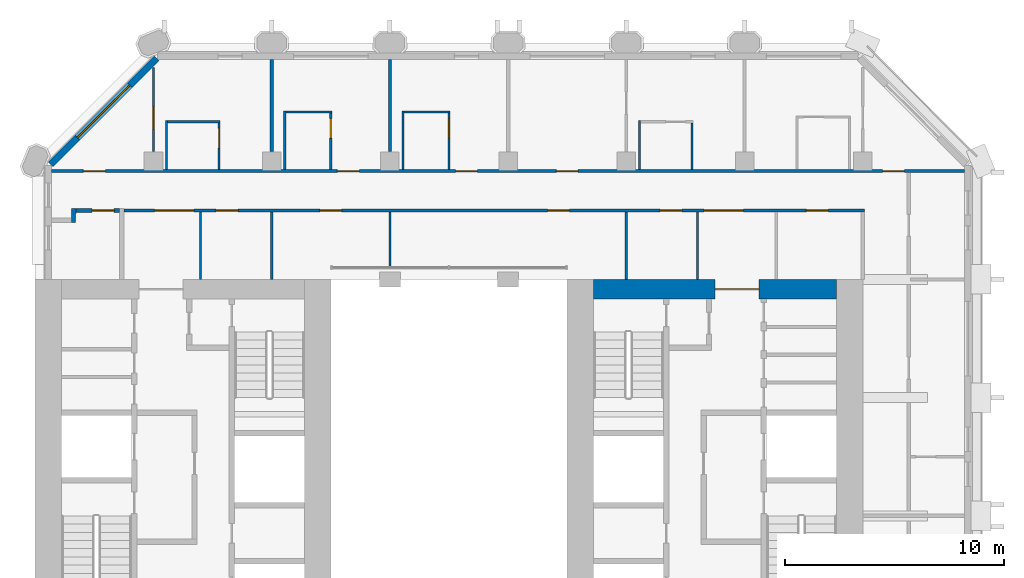
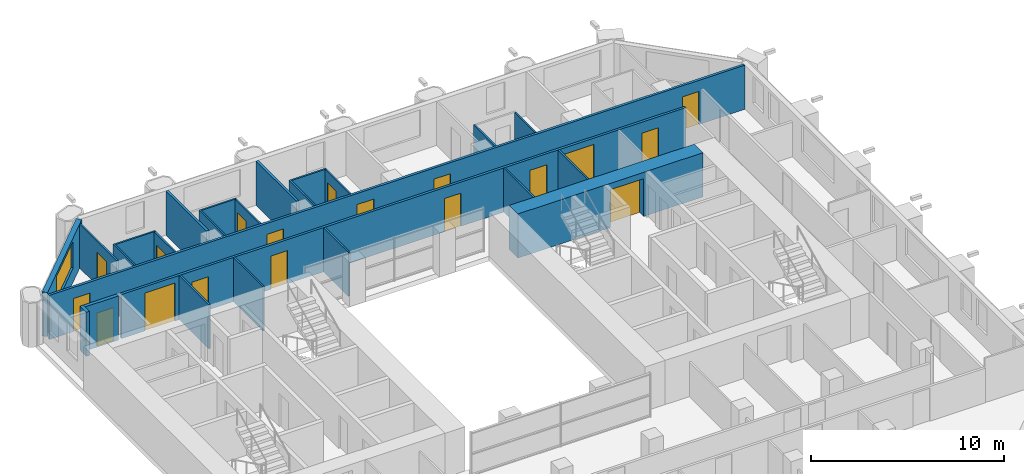
# One storey, part 9 of 12: 25 walls, 18 doors, 1 window, 19 openings.
"""IFC4 building model written with IfcOpenShell, lengths in metres."""

from ifc_helpers import new_model, si_unit, direction, frame, frame_2d, origin, place, context, subcontext, project, spatial, rectangle, extrude, material, layer, layer_set, type_object, element, fill, save


model = new_model("IFC4")

# Units and contexts
model_context = context("Model", 3, precision=1e-05, world=origin(), true_north=direction((0.0, 1.0)))
body_context = subcontext(model_context, "Body", "Model", "MODEL_VIEW")
ifc_project = project(units=[si_unit("LENGTHUNIT", "METRE"), si_unit("AREAUNIT", "SQUARE_METRE"), si_unit("VOLUMEUNIT", "CUBIC_METRE"), si_unit("PLANEANGLEUNIT", "RADIAN"), si_unit("MASSUNIT", "GRAM", prefix="KILO")], contexts=[model_context])

# Site, building, storey
site_placement = place(None, origin())
site = spatial("IfcSite", under=ifc_project, at=site_placement, CompositionType="ELEMENT")
building_placement = place(site_placement, origin())
building = spatial("IfcBuilding", under=site, at=building_placement, Name="Tabaq Tower and Sports Hall", CompositionType="ELEMENT")
storey_placement = place(building_placement, frame((0.0, 0.0, 172.60009765625)))
storey = spatial("IfcBuildingStorey", under=building, at=storey_placement, Name="L41", CompositionType="ELEMENT", Elevation=172.60009765625)

# Wall, opening, door
ifc_material_1 = material(Name="Concrete C50/60", Category="concrete")
ifc_layer_1 = layer(ifc_material_1, 0.89990234375)
ifc_layer_set_1 = layer_set([ifc_layer_1], Name="Core wall 900 Concrete C50/60")
wall_type_1 = type_object("IfcWallType", Name="Core wall 900 Concrete C50/60", PredefinedType="SOLIDWALL", material=ifc_layer_set_1)
wall_1_placement = place(storey_placement, frame((30.89990234375, 31.949951171875, 0.0), z_axis=(0.0, 0.0, 1.0), x_axis=(1.0, 0.0, 0.0)))
wall_1 = element("IfcWall", 1, at=wall_1_placement, inside=storey, type_object=wall_type_1, Name="Core wall E L41", PredefinedType="SOLIDWALL", context=body_context, shape_type="SweptSolid", body=[
    extrude(rectangle(XDim=11.10009765625, YDim=0.89990234375, at=frame_2d((5.550048828125, 0.0))), origin(), (0.0, 0.0, 1.0), 2.7998046875),
])
opening_1_placement = place(wall_1_placement, frame((5.550048828125, 0.0, 0.0)))
opening_1 = element("IfcOpeningElement", 2, at=opening_1_placement, cuts=wall_1, Name="Opening PD-EL41-02", PredefinedType="OPENING", context=body_context, shape_type="SweptSolid", body=[
    extrude(rectangle(XDim=2.0, YDim=2.39990234375, at=frame_2d((1.0, 1.199951171875))), frame((0.0, 0.449951171875, 0.0), z_axis=(0.0, -1.0, 0.0), x_axis=(1.0, 0.0, 0.0)), (0.0, 0.0, 1.0), 0.89990234375),
])
ifc_material_2 = material(Name="Steel fire door", Category="steel")
door_type_1 = type_object("IfcDoorType", Name="Core entrance door 2000", OperationType="DOUBLE_DOOR_SINGLE_SWING", PredefinedType="DOOR", material=ifc_material_2)
door_1_placement = place(opening_1_placement, origin())
door_1 = element("IfcDoor", 3, at=door_1_placement, inside=storey, type_object=door_type_1, Name="Core entrance north E L41", OperationType="DOUBLE_DOOR_SINGLE_SWING", OverallHeight=2.39990234375, OverallWidth=2.0, PredefinedType="DOOR", context=body_context, shape_type="SweptSolid", body=[
    extrude(rectangle(XDim=2.0, YDim=2.39990234375, at=frame_2d((1.0, 1.199951171875))), frame((0.0, 0.02490234375, 0.0), z_axis=(0.0, -1.0, 0.0), x_axis=(1.0, 0.0, 0.0)), (0.0, 0.0, 1.0), 0.050048828125),
])
fill(opening_1, door_1)

ifc_material_3 = material(Name="Blockwork", Category="masonry")
ifc_layer_2 = layer(ifc_material_3, 0.199951171875)
ifc_layer_set_2 = layer_set([ifc_layer_2], Name="Fire compartment wall 200 Blockwork")
wall_type_2 = type_object("IfcWallType", Name="Fire compartment wall 200 Blockwork", PredefinedType="PARTITIONING", material=ifc_layer_set_2)
wall_2_placement = place(storey_placement, frame((7.2509765625, 35.550048828125, 0.0), z_axis=(0.0, 0.0, 1.0), x_axis=(1.0, 0.0, 0.0)))
wall_2 = element("IfcWall", 4, at=wall_2_placement, inside=storey, type_object=wall_type_2, Name="Compartment wall L41", PredefinedType="PARTITIONING", context=body_context, shape_type="SweptSolid", body=[
    extrude(rectangle(XDim=1.9990234375, YDim=0.199951171875, at=frame_2d((0.99951171875, 0.0))), origin(), (0.0, 0.0, 1.0), 2.7998046875),
])
opening_2_placement = place(wall_2_placement, frame((0.7490234375, 0.0, 0.0)))
opening_2 = element("IfcOpeningElement", 5, at=opening_2_placement, cuts=wall_2, Name="Opening L41-010", PredefinedType="OPENING", context=body_context, shape_type="SweptSolid", body=[
    extrude(rectangle(XDim=1.0, YDim=2.10009765625, at=frame_2d((0.5, 1.050048828125))), frame((0.0, 0.10009765625, 0.0), z_axis=(0.0, -1.0, 0.0), x_axis=(1.0, 0.0, 0.0)), (0.0, 0.0, 1.0), 0.199951171875),
])
ifc_material_4 = material(Name="Steel fire door", Category="steel")
door_type_2 = type_object("IfcDoorType", Name="Riser door 1000 left hand", OperationType="SINGLE_SWING_LEFT", PredefinedType="DOOR", material=ifc_material_4)
door_2_placement = place(opening_2_placement, origin())
door_2 = element("IfcDoor", 6, at=door_2_placement, inside=storey, type_object=door_type_2, Name="Riser door L41-010", OperationType="SINGLE_SWING_LEFT", OverallHeight=2.10009765625, OverallWidth=1.0, PredefinedType="DOOR", context=body_context, shape_type="SweptSolid", body=[
    extrude(rectangle(XDim=1.0, YDim=2.10009765625, at=frame_2d((0.5, 1.050048828125))), frame((0.0, 0.02490234375, 0.0), z_axis=(0.0, -1.0, 0.0), x_axis=(1.0, 0.0, 0.0)), (0.0, 0.0, 1.0), 0.050048828125),
])
fill(opening_2, door_2)

# Wall
wall_3_placement = place(storey_placement, frame((7.151123046875, 35.64990234375, 0.0), z_axis=(0.0, 0.0, 1.0), x_axis=(-0.001878283689, -0.999998236024, 0.0)))
element("IfcWall", 7, at=wall_3_placement, inside=storey, type_object=wall_type_2, Name="Compartment wall L41", PredefinedType="PARTITIONING", context=body_context, shape_type="SweptSolid", body=[
    extrude(rectangle(XDim=0.64990234375, YDim=0.199951171875, at=frame_2d((0.324951171875, 0.0))), origin(), (0.0, 0.0, 1.0), 2.7998046875),
])

# Wall, opening, door
ifc_material_5 = material(Name="Gypsum board on steel studs", Category="steel")
ifc_layer_3 = layer(ifc_material_5, 0.10009765625)
ifc_layer_set_3 = layer_set([ifc_layer_3], Name="Partition 100 Gypsum board")
wall_type_3 = type_object("IfcWallType", Name="Partition 100 Gypsum board", PredefinedType="PARTITIONING", material=ifc_layer_set_3)
wall_4_placement = place(storey_placement, frame((10.800048828125, 42.087890625, 0.0), z_axis=(0.0, 0.0, 1.0), x_axis=(0.0, -1.0, 0.0)))
wall_4 = element("IfcWall", 8, at=wall_4_placement, inside=storey, type_object=wall_type_3, Name="Partition wall L41", PredefinedType="PARTITIONING", context=body_context, shape_type="SweptSolid", body=[
    extrude(rectangle(XDim=3.8427734375, YDim=0.10009765625, at=frame_2d((1.92138671875, 0.0))), origin(), (0.0, 0.0, 1.0), 2.7998046875),
])
opening_3_placement = place(wall_4_placement, frame((1.80029296875, 0.0, 0.0)))
opening_3 = element("IfcOpeningElement", 9, at=opening_3_placement, cuts=wall_4, Name="Opening L41-028", PredefinedType="OPENING", context=body_context, shape_type="SweptSolid", body=[
    extrude(rectangle(XDim=1.0, YDim=2.10009765625, at=frame_2d((0.5, 1.050048828125))), frame((0.0, 0.050048828125, 0.0), z_axis=(0.0, -1.0, 0.0), x_axis=(1.0, 0.0, 0.0)), (0.0, 0.0, 1.0), 0.10009765625),
])
ifc_material_6 = material(Name="Timber leaf in steel frame", Category="steel")
door_type_3 = type_object("IfcDoorType", Name="Internal door 1000 left hand", OperationType="SINGLE_SWING_LEFT", PredefinedType="DOOR", material=ifc_material_6)
door_3_placement = place(opening_3_placement, origin())
door_3 = element("IfcDoor", 10, at=door_3_placement, inside=storey, type_object=door_type_3, Name="Internal door L41-028", OperationType="SINGLE_SWING_LEFT", OverallHeight=2.10009765625, OverallWidth=1.0, PredefinedType="DOOR", context=body_context, shape_type="SweptSolid", body=[
    extrude(rectangle(XDim=1.0, YDim=2.10009765625, at=frame_2d((0.5, 1.050048828125))), frame((0.0, 0.02490234375, 0.0), z_axis=(0.0, -1.0, 0.0), x_axis=(1.0, 0.0, 0.0)), (0.0, 0.0, 1.0), 0.050048828125),
])
fill(opening_3, door_3)

# Walls
wall_5_placement = place(storey_placement, frame((11.39990234375, 37.425048828125, 0.0), z_axis=(0.0, 0.0, 1.0), x_axis=(0.0, 1.0, 0.0)))
element("IfcWall", 11, at=wall_5_placement, inside=storey, type_object=wall_type_3, Name="Partition wall L41", PredefinedType="PARTITIONING", context=body_context, shape_type="SweptSolid", body=[
    extrude(rectangle(XDim=2.224853515625, YDim=0.10009765625, at=frame_2d((1.1123046875, 0.0))), origin(), (0.0, 0.0, 1.0), 2.7998046875),
])
wall_6_placement = place(storey_placement, frame((11.449951171875, 39.60009765625, 0.0), z_axis=(0.0, 0.0, 1.0), x_axis=(1.0, 0.0, 0.0)))
element("IfcWall", 12, at=wall_6_placement, inside=storey, type_object=wall_type_3, Name="Partition wall L41", PredefinedType="PARTITIONING", context=body_context, shape_type="SweptSolid", body=[
    extrude(rectangle(XDim=2.400146484375, YDim=0.10009765625, at=frame_2d((1.2001953125, 0.0))), origin(), (0.0, 0.0, 1.0), 2.7998046875),
])

# Wall, opening, door
wall_7_placement = place(storey_placement, frame((13.800048828125, 39.550048828125, 0.0), z_axis=(0.0, 0.0, 1.0), x_axis=(0.0, -1.0, 0.0)))
wall_7 = element("IfcWall", 13, at=wall_7_placement, inside=storey, type_object=wall_type_3, Name="Partition wall L41", PredefinedType="PARTITIONING", context=body_context, shape_type="SweptSolid", body=[
    extrude(rectangle(XDim=2.125, YDim=0.10009765625, at=frame_2d((1.0625, 0.0))), origin(), (0.0, 0.0, 1.0), 2.7998046875),
])
opening_4_placement = place(wall_7_placement, frame((0.25, 0.0, 0.0)))
opening_4 = element("IfcOpeningElement", 14, at=opening_4_placement, cuts=wall_7, Name="Opening L41-002", PredefinedType="OPENING", context=body_context, shape_type="SweptSolid", body=[
    extrude(rectangle(XDim=0.89990234375, YDim=2.10009765625, at=frame_2d((0.449951171875, 1.050048828125))), frame((0.0, 0.050048828125, 0.0), z_axis=(0.0, -1.0, 0.0), x_axis=(1.0, 0.0, 0.0)), (0.0, 0.0, 1.0), 0.10009765625),
])
ifc_material_7 = material(Name="Timber leaf in steel frame", Category="steel")
door_type_4 = type_object("IfcDoorType", Name="Internal door 900 left hand", OperationType="SINGLE_SWING_LEFT", PredefinedType="DOOR", material=ifc_material_7)
door_4_placement = place(opening_4_placement, origin())
door_4 = element("IfcDoor", 15, at=door_4_placement, inside=storey, type_object=door_type_4, Name="Internal door L41-002", OperationType="SINGLE_SWING_LEFT", OverallHeight=2.10009765625, OverallWidth=0.89990234375, PredefinedType="DOOR", context=body_context, shape_type="SweptSolid", body=[
    extrude(rectangle(XDim=0.89990234375, YDim=2.10009765625, at=frame_2d((0.449951171875, 1.050048828125))), frame((0.0, 0.02490234375, 0.0), z_axis=(0.0, -1.0, 0.0), x_axis=(1.0, 0.0, 0.0)), (0.0, 0.0, 1.0), 0.050048828125),
])
fill(opening_4, door_4)

# Walls
wall_8_placement = place(storey_placement, frame((16.800048828125, 37.425048828125, 0.0), z_axis=(0.0, 0.0, 1.0), x_axis=(0.0, 1.0, 0.0)))
element("IfcWall", 16, at=wall_8_placement, inside=storey, type_object=wall_type_3, Name="Partition wall L41", PredefinedType="PARTITIONING", context=body_context, shape_type="SweptSolid", body=[
    extrude(rectangle(XDim=2.675048828125, YDim=0.10009765625, at=frame_2d((1.33740234375, 0.0))), origin(), (0.0, 0.0, 1.0), 2.7998046875),
])
wall_9_placement = place(storey_placement, frame((16.85009765625, 40.050048828125, 0.0), z_axis=(0.0, 0.0, 1.0), x_axis=(1.0, 0.0, 0.0)))
element("IfcWall", 17, at=wall_9_placement, inside=storey, type_object=wall_type_3, Name="Partition wall L41", PredefinedType="PARTITIONING", context=body_context, shape_type="SweptSolid", body=[
    extrude(rectangle(XDim=2.099853515625, YDim=0.10009765625, at=frame_2d((1.0498046875, 0.0))), origin(), (0.0, 0.0, 1.0), 2.7998046875),
])

# Wall, opening, door
wall_10_placement = place(storey_placement, frame((18.89990234375, 40.0, 0.0), z_axis=(0.0, 0.0, 1.0), x_axis=(0.0, -1.0, 0.0)))
wall_10 = element("IfcWall", 18, at=wall_10_placement, inside=storey, type_object=wall_type_3, Name="Partition wall L41", PredefinedType="PARTITIONING", context=body_context, shape_type="SweptSolid", body=[
    extrude(rectangle(XDim=2.574951171875, YDim=0.10009765625, at=frame_2d((1.28759765625, 0.0))), origin(), (0.0, 0.0, 1.0), 2.7998046875),
])
opening_5_placement = place(wall_10_placement, frame((0.25, 0.0, 0.0)))
opening_5 = element("IfcOpeningElement", 19, at=opening_5_placement, cuts=wall_10, Name="Opening L41-003", PredefinedType="OPENING", context=body_context, shape_type="SweptSolid", body=[
    extrude(rectangle(XDim=0.89990234375, YDim=2.10009765625, at=frame_2d((0.449951171875, 1.050048828125))), frame((0.0, 0.050048828125, 0.0), z_axis=(0.0, -1.0, 0.0), x_axis=(1.0, 0.0, 0.0)), (0.0, 0.0, 1.0), 0.10009765625),
])
door_5_placement = place(opening_5_placement, origin())
door_5 = element("IfcDoor", 20, at=door_5_placement, inside=storey, type_object=door_type_4, Name="Internal door L41-003", OperationType="SINGLE_SWING_LEFT", OverallHeight=2.10009765625, OverallWidth=0.89990234375, PredefinedType="DOOR", context=body_context, shape_type="SweptSolid", body=[
    extrude(rectangle(XDim=0.89990234375, YDim=2.10009765625, at=frame_2d((0.449951171875, 1.050048828125))), frame((0.0, 0.02490234375, 0.0), z_axis=(0.0, -1.0, 0.0), x_axis=(1.0, 0.0, 0.0)), (0.0, 0.0, 1.0), 0.050048828125),
])
fill(opening_5, door_5)

# Walls
wall_11_placement = place(storey_placement, frame((22.199951171875, 37.425048828125, 0.0), z_axis=(0.0, 0.0, 1.0), x_axis=(0.0, 1.0, 0.0)))
element("IfcWall", 21, at=wall_11_placement, inside=storey, type_object=wall_type_3, Name="Partition wall L41", PredefinedType="PARTITIONING", context=body_context, shape_type="SweptSolid", body=[
    extrude(rectangle(XDim=2.675048828125, YDim=0.10009765625, at=frame_2d((1.33740234375, 0.0))), origin(), (0.0, 0.0, 1.0), 2.7998046875),
])
wall_12_placement = place(storey_placement, frame((22.25, 40.050048828125, 0.0), z_axis=(0.0, 0.0, 1.0), x_axis=(1.0, 0.0, 0.0)))
element("IfcWall", 22, at=wall_12_placement, inside=storey, type_object=wall_type_3, Name="Partition wall L41", PredefinedType="PARTITIONING", context=body_context, shape_type="SweptSolid", body=[
    extrude(rectangle(XDim=2.10009765625, YDim=0.10009765625, at=frame_2d((1.050048828125, 0.0))), origin(), (0.0, 0.0, 1.0), 2.7998046875),
])

# Wall, opening, door
wall_13_placement = place(storey_placement, frame((24.300048828125, 40.0, 0.0), z_axis=(0.0, 0.0, 1.0), x_axis=(0.0, -1.0, 0.0)))
wall_13 = element("IfcWall", 23, at=wall_13_placement, inside=storey, type_object=wall_type_3, Name="Partition wall L41", PredefinedType="PARTITIONING", context=body_context, shape_type="SweptSolid", body=[
    extrude(rectangle(XDim=2.574951171875, YDim=0.10009765625, at=frame_2d((1.28759765625, 0.0))), origin(), (0.0, 0.0, 1.0), 2.7998046875),
])
opening_6_placement = place(wall_13_placement, frame((0.25, 0.0, 0.0)))
opening_6 = element("IfcOpeningElement", 24, at=opening_6_placement, cuts=wall_13, Name="Opening L41-004", PredefinedType="OPENING", context=body_context, shape_type="SweptSolid", body=[
    extrude(rectangle(XDim=0.89990234375, YDim=2.10009765625, at=frame_2d((0.449951171875, 1.050048828125))), frame((0.0, 0.050048828125, 0.0), z_axis=(0.0, -1.0, 0.0), x_axis=(1.0, 0.0, 0.0)), (0.0, 0.0, 1.0), 0.10009765625),
])
ifc_material_8 = material(Name="Timber leaf in steel frame", Category="steel")
door_type_5 = type_object("IfcDoorType", Name="Internal door 900 right hand", OperationType="SINGLE_SWING_RIGHT", PredefinedType="DOOR", material=ifc_material_8)
door_6_placement = place(opening_6_placement, origin())
door_6 = element("IfcDoor", 25, at=door_6_placement, inside=storey, type_object=door_type_5, Name="Internal door L41-004", OperationType="SINGLE_SWING_RIGHT", OverallHeight=2.10009765625, OverallWidth=0.89990234375, PredefinedType="DOOR", context=body_context, shape_type="SweptSolid", body=[
    extrude(rectangle(XDim=0.89990234375, YDim=2.10009765625, at=frame_2d((0.449951171875, 1.050048828125))), frame((0.0, 0.02490234375, 0.0), z_axis=(0.0, -1.0, 0.0), x_axis=(1.0, 0.0, 0.0)), (0.0, 0.0, 1.0), 0.050048828125),
])
fill(opening_6, door_6)

# Walls
wall_14_placement = place(storey_placement, frame((33.0, 37.425048828125, 0.0), z_axis=(0.0, 0.0, 1.0), x_axis=(0.0, 1.0, 0.0)))
element("IfcWall", 26, at=wall_14_placement, inside=storey, type_object=wall_type_3, Name="Partition wall L41", PredefinedType="PARTITIONING", context=body_context, shape_type="SweptSolid", body=[
    extrude(rectangle(XDim=2.224853515625, YDim=0.10009765625, at=frame_2d((1.1123046875, 0.0))), origin(), (0.0, 0.0, 1.0), 2.7998046875),
])
wall_15_placement = place(storey_placement, frame((35.39990234375, 39.550048828125, 0.0), z_axis=(0.0, 0.0, 1.0), x_axis=(0.0, -1.0, 0.0)))
element("IfcWall", 27, at=wall_15_placement, inside=storey, type_object=wall_type_3, Name="Partition wall L41", PredefinedType="PARTITIONING", context=body_context, shape_type="SweptSolid", body=[
    extrude(rectangle(XDim=2.125, YDim=0.10009765625, at=frame_2d((1.0625, 0.0))), origin(), (0.0, 0.0, 1.0), 2.7998046875),
])
wall_16_placement = place(storey_placement, frame((16.199951171875, 35.47509765625, 0.0), z_axis=(0.0, 0.0, 1.0), x_axis=(0.0, -1.0, 0.0)))
element("IfcWall", 28, at=wall_16_placement, inside=storey, type_object=wall_type_3, Name="Partition wall L41", PredefinedType="PARTITIONING", context=body_context, shape_type="SweptSolid", body=[
    extrude(rectangle(XDim=3.0751953125, YDim=0.10009765625, at=frame_2d((1.53759765625, 0.0))), origin(), (0.0, 0.0, 1.0), 2.7998046875),
])
wall_17_placement = place(storey_placement, frame((21.60009765625, 32.89501953125, 0.0), z_axis=(0.0, 0.0, 1.0), x_axis=(0.0, 1.0, 0.0)))
element("IfcWall", 29, at=wall_17_placement, inside=storey, type_object=wall_type_3, Name="Partition wall L41", PredefinedType="PARTITIONING", context=body_context, shape_type="SweptSolid", body=[
    extrude(rectangle(XDim=2.580078125, YDim=0.10009765625, at=frame_2d((1.2900390625, 0.0))), origin(), (0.0, 0.0, 1.0), 2.7998046875),
])
for number, where, z_axis, x_axis, name in (
    (30, (32.39990234375, 32.39990234375, 0.0), (0.0, 0.0, 1.0), (0.0, 1.0, 0.0), "Partition wall L41"),
    (31, (12.949951171875, 32.39990234375, 0.0), (0.0, 0.0, 1.0), (0.0, 1.0, 0.0), "Partition wall L41"),
    (32, (35.64990234375, 35.47509765625, 0.0), (0.0, 0.0, 1.0), (0.0, -1.0, 0.0), "Partition wall L41"),
):
    element("IfcWall", number, at=place(storey_placement, frame(where, z_axis=z_axis, x_axis=x_axis)), inside=storey, type_object=wall_type_3, Name=name, PredefinedType="PARTITIONING", context=body_context, shape_type="SweptSolid", body=[
        extrude(rectangle(XDim=3.0751953125, YDim=0.10009765625, at=frame_2d((1.53759765625, 0.0))), origin(), (0.0, 0.0, 1.0), 2.7998046875),
    ])
ifc_material_9 = material(Name="Blockwork", Category="masonry")
ifc_layer_4 = layer(ifc_material_9, 0.14990234375)
ifc_layer_set_4 = layer_set([ifc_layer_4], Name="Separating wall 150 Blockwork")
wall_type_4 = type_object("IfcWallType", Name="Separating wall 150 Blockwork", PredefinedType="PARTITIONING", material=ifc_layer_set_4)
for number, where, z_axis, x_axis, name in (
    (33, (16.199951171875, 38.2451171875, 0.0), (0.0, 0.0, 1.0), (0.0, 1.0, 0.0), "Separating wall L41"),
    (34, (21.60009765625, 38.2451171875, 0.0), (0.0, 0.0, 1.0), (0.0, 1.0, 0.0), "Separating wall L41"),
):
    element("IfcWall", number, at=place(storey_placement, frame(where, z_axis=z_axis, x_axis=x_axis)), inside=storey, type_object=wall_type_4, Name=name, PredefinedType="PARTITIONING", context=body_context, shape_type="SweptSolid", body=[
        extrude(rectangle(XDim=4.203857421875, YDim=0.14990234375, at=frame_2d((2.10205078125, 0.0))), origin(), (0.0, 0.0, 1.0), 2.7998046875),
    ])

# Wall, openings, doors
wall_18_placement = place(storey_placement, frame((47.84912109375, 37.35009765625, 0.0), z_axis=(0.0, 0.0, 1.0), x_axis=(-1.0, 0.0, 0.0)))
wall_18 = element("IfcWall", 35, at=wall_18_placement, inside=storey, type_object=wall_type_4, Name="Separating wall L41", PredefinedType="PARTITIONING", context=body_context, shape_type="SweptSolid", body=[
    extrude(rectangle(XDim=41.6982421875, YDim=0.14990234375, at=frame_2d((20.84912109375, 0.0))), origin(), (0.0, 0.0, 1.0), 2.7998046875),
])
opening_7_placement = place(wall_18_placement, frame((39.2490234375, 0.0, 0.0)))
opening_7 = element("IfcOpeningElement", 36, at=opening_7_placement, cuts=wall_18, Name="Opening L41-029", PredefinedType="OPENING", context=body_context, shape_type="SweptSolid", body=[
    extrude(rectangle(XDim=1.0, YDim=2.10009765625, at=frame_2d((0.5, 1.050048828125))), frame((0.0, 0.074951171875, 0.0), z_axis=(0.0, -1.0, 0.0), x_axis=(1.0, 0.0, 0.0)), (0.0, 0.0, 1.0), 0.14990234375),
])
opening_8_placement = place(wall_18_placement, frame((27.64892578125, 0.0, 0.0)))
opening_8 = element("IfcOpeningElement", 37, at=opening_8_placement, cuts=wall_18, Name="Opening L41-030", PredefinedType="OPENING", context=body_context, shape_type="SweptSolid", body=[
    extrude(rectangle(XDim=1.0, YDim=2.10009765625, at=frame_2d((0.5, 1.050048828125))), frame((0.0, 0.074951171875, 0.0), z_axis=(0.0, -1.0, 0.0), x_axis=(1.0, 0.0, 0.0)), (0.0, 0.0, 1.0), 0.14990234375),
])
opening_9_placement = place(wall_18_placement, frame((22.2490234375, 0.0, 0.0)))
opening_9 = element("IfcOpeningElement", 38, at=opening_9_placement, cuts=wall_18, Name="Opening L41-031", PredefinedType="OPENING", context=body_context, shape_type="SweptSolid", body=[
    extrude(rectangle(XDim=1.0, YDim=2.10009765625, at=frame_2d((0.5, 1.050048828125))), frame((0.0, 0.074951171875, 0.0), z_axis=(0.0, -1.0, 0.0), x_axis=(1.0, 0.0, 0.0)), (0.0, 0.0, 1.0), 0.14990234375),
])
opening_10_placement = place(wall_18_placement, frame((17.64892578125, 0.0, 0.0)))
opening_10 = element("IfcOpeningElement", 39, at=opening_10_placement, cuts=wall_18, Name="Opening L41-033", PredefinedType="OPENING", context=body_context, shape_type="SweptSolid", body=[
    extrude(rectangle(XDim=1.0, YDim=2.10009765625, at=frame_2d((0.5, 1.050048828125))), frame((0.0, 0.074951171875, 0.0), z_axis=(0.0, -1.0, 0.0), x_axis=(1.0, 0.0, 0.0)), (0.0, 0.0, 1.0), 0.14990234375),
])
opening_11_placement = place(wall_18_placement, frame((2.743896484375, 0.0, 0.0)))
opening_11 = element("IfcOpeningElement", 40, at=opening_11_placement, cuts=wall_18, Name="Opening L41-035", PredefinedType="OPENING", context=body_context, shape_type="SweptSolid", body=[
    extrude(rectangle(XDim=1.0, YDim=2.10009765625, at=frame_2d((0.5, 1.050048828125))), frame((0.0, 0.074951171875, 0.0), z_axis=(0.0, -1.0, 0.0), x_axis=(1.0, 0.0, 0.0)), (0.0, 0.0, 1.0), 0.14990234375),
])
ifc_material_10 = material(Name="Steel fire door", Category="steel")
door_type_6 = type_object("IfcDoorType", Name="Entrance door 1000 right hand", OperationType="SINGLE_SWING_RIGHT", PredefinedType="DOOR", material=ifc_material_10)
door_7_placement = place(opening_7_placement, origin())
door_7 = element("IfcDoor", 41, at=door_7_placement, inside=storey, type_object=door_type_6, Name="Entrance door L41-029", OperationType="SINGLE_SWING_RIGHT", OverallHeight=2.10009765625, OverallWidth=1.0, PredefinedType="DOOR", context=body_context, shape_type="SweptSolid", body=[
    extrude(rectangle(XDim=1.0, YDim=2.10009765625, at=frame_2d((0.5, 1.050048828125))), frame((0.0, 0.02490234375, 0.0), z_axis=(0.0, -1.0, 0.0), x_axis=(1.0, 0.0, 0.0)), (0.0, 0.0, 1.0), 0.050048828125),
])
fill(opening_7, door_7)
door_8_placement = place(opening_8_placement, origin())
door_8 = element("IfcDoor", 42, at=door_8_placement, inside=storey, type_object=door_type_6, Name="Entrance door L41-030", OperationType="SINGLE_SWING_RIGHT", OverallHeight=2.10009765625, OverallWidth=1.0, PredefinedType="DOOR", context=body_context, shape_type="SweptSolid", body=[
    extrude(rectangle(XDim=1.0, YDim=2.10009765625, at=frame_2d((0.5, 1.050048828125))), frame((0.0, 0.02490234375, 0.0), z_axis=(0.0, -1.0, 0.0), x_axis=(1.0, 0.0, 0.0)), (0.0, 0.0, 1.0), 0.050048828125),
])
fill(opening_8, door_8)
door_9_placement = place(opening_9_placement, origin())
door_9 = element("IfcDoor", 43, at=door_9_placement, inside=storey, type_object=door_type_6, Name="Entrance door L41-031", OperationType="SINGLE_SWING_RIGHT", OverallHeight=2.10009765625, OverallWidth=1.0, PredefinedType="DOOR", context=body_context, shape_type="SweptSolid", body=[
    extrude(rectangle(XDim=1.0, YDim=2.10009765625, at=frame_2d((0.5, 1.050048828125))), frame((0.0, 0.02490234375, 0.0), z_axis=(0.0, -1.0, 0.0), x_axis=(1.0, 0.0, 0.0)), (0.0, 0.0, 1.0), 0.050048828125),
])
fill(opening_9, door_9)
door_10_placement = place(opening_10_placement, origin())
door_10 = element("IfcDoor", 44, at=door_10_placement, inside=storey, type_object=door_type_6, Name="Entrance door L41-033", OperationType="SINGLE_SWING_RIGHT", OverallHeight=2.10009765625, OverallWidth=1.0, PredefinedType="DOOR", context=body_context, shape_type="SweptSolid", body=[
    extrude(rectangle(XDim=1.0, YDim=2.10009765625, at=frame_2d((0.5, 1.050048828125))), frame((0.0, 0.02490234375, 0.0), z_axis=(0.0, -1.0, 0.0), x_axis=(1.0, 0.0, 0.0)), (0.0, 0.0, 1.0), 0.050048828125),
])
fill(opening_10, door_10)
door_11_placement = place(opening_11_placement, origin())
door_11 = element("IfcDoor", 45, at=door_11_placement, inside=storey, type_object=door_type_6, Name="Entrance door L41-035", OperationType="SINGLE_SWING_RIGHT", OverallHeight=2.10009765625, OverallWidth=1.0, PredefinedType="DOOR", context=body_context, shape_type="SweptSolid", body=[
    extrude(rectangle(XDim=1.0, YDim=2.10009765625, at=frame_2d((0.5, 1.050048828125))), frame((0.0, 0.02490234375, 0.0), z_axis=(0.0, -1.0, 0.0), x_axis=(1.0, 0.0, 0.0)), (0.0, 0.0, 1.0), 0.050048828125),
])
fill(opening_11, door_11)

wall_19_placement = place(storey_placement, frame((43.27490234375, 35.550048828125, 0.0), z_axis=(0.0, 0.0, 1.0), x_axis=(-1.0, 0.0, 0.0)))
wall_19 = element("IfcWall", 46, at=wall_19_placement, inside=storey, type_object=wall_type_4, Name="Separating wall L41", PredefinedType="PARTITIONING", context=body_context, shape_type="SweptSolid", body=[
    extrude(rectangle(XDim=33.824951171875, YDim=0.14990234375, at=frame_2d((16.91259765625, 0.0))), origin(), (0.0, 0.0, 1.0), 2.7998046875),
])
opening_12_placement = place(wall_19_placement, frame((23.875, 0.0, 0.0)))
opening_12 = element("IfcOpeningElement", 47, at=opening_12_placement, cuts=wall_19, Name="Opening L41-007", PredefinedType="OPENING", context=body_context, shape_type="SweptSolid", body=[
    extrude(rectangle(XDim=1.0, YDim=2.10009765625, at=frame_2d((0.5, 1.050048828125))), frame((0.0, 0.074951171875, 0.0), z_axis=(0.0, -1.0, 0.0), x_axis=(1.0, 0.0, 0.0)), (0.0, 0.0, 1.0), 0.14990234375),
])
opening_13_placement = place(wall_19_placement, frame((13.47509765625, 0.0, 0.0)))
opening_13 = element("IfcOpeningElement", 48, at=opening_13_placement, cuts=wall_19, Name="Opening L41-008", PredefinedType="OPENING", context=body_context, shape_type="SweptSolid", body=[
    extrude(rectangle(XDim=1.0, YDim=2.10009765625, at=frame_2d((0.5, 1.050048828125))), frame((0.0, 0.074951171875, 0.0), z_axis=(0.0, -1.0, 0.0), x_axis=(1.0, 0.0, 0.0)), (0.0, 0.0, 1.0), 0.14990234375),
])
opening_14_placement = place(wall_19_placement, frame((8.3369140625, 0.0, 0.0)))
opening_14 = element("IfcOpeningElement", 49, at=opening_14_placement, cuts=wall_19, Name="Opening L41-011", PredefinedType="OPENING", context=body_context, shape_type="SweptSolid", body=[
    extrude(rectangle(XDim=1.0, YDim=2.10009765625, at=frame_2d((0.5, 1.050048828125))), frame((0.0, 0.074951171875, 0.0), z_axis=(0.0, -1.0, 0.0), x_axis=(1.0, 0.0, 0.0)), (0.0, 0.0, 1.0), 0.14990234375),
])
opening_15_placement = place(wall_19_placement, frame((1.64794921875, 0.0, 0.0)))
opening_15 = element("IfcOpeningElement", 50, at=opening_15_placement, cuts=wall_19, Name="Opening L41-012", PredefinedType="OPENING", context=body_context, shape_type="SweptSolid", body=[
    extrude(rectangle(XDim=1.0, YDim=2.10009765625, at=frame_2d((0.5, 1.050048828125))), frame((0.0, 0.074951171875, 0.0), z_axis=(0.0, -1.0, 0.0), x_axis=(1.0, 0.0, 0.0)), (0.0, 0.0, 1.0), 0.14990234375),
])
opening_16_placement = place(wall_19_placement, frame((28.613037109375, 0.0, 0.0)))
opening_16 = element("IfcOpeningElement", 51, at=opening_16_placement, cuts=wall_19, Name="Opening L41-013", PredefinedType="OPENING", context=body_context, shape_type="SweptSolid", body=[
    extrude(rectangle(XDim=1.0, YDim=2.10009765625, at=frame_2d((0.5, 1.050048828125))), frame((0.0, 0.074951171875, 0.0), z_axis=(0.0, -1.0, 0.0), x_axis=(1.0, 0.0, 0.0)), (0.0, 0.0, 1.0), 0.14990234375),
])
opening_17_placement = place(wall_19_placement, frame((30.625, 0.0, 0.0)))
opening_17 = element("IfcOpeningElement", 52, at=opening_17_placement, cuts=wall_19, Name="Opening L41-037", PredefinedType="OPENING", context=body_context, shape_type="SweptSolid", body=[
    extrude(rectangle(XDim=1.800048828125, YDim=2.39990234375, at=frame_2d((0.89990234375, 1.199951171875))), frame((0.0, 0.074951171875, 0.0), z_axis=(0.0, -1.0, 0.0), x_axis=(1.0, 0.0, 0.0)), (0.0, 0.0, 1.0), 0.14990234375),
])
opening_18_placement = place(wall_19_placement, frame((5.52490234375, 0.0, 0.0)))
opening_18 = element("IfcOpeningElement", 53, at=opening_18_placement, cuts=wall_19, Name="Opening L41-038", PredefinedType="OPENING", context=body_context, shape_type="SweptSolid", body=[
    extrude(rectangle(XDim=1.800048828125, YDim=2.39990234375, at=frame_2d((0.89990234375, 1.199951171875))), frame((0.0, 0.074951171875, 0.0), z_axis=(0.0, -1.0, 0.0), x_axis=(1.0, 0.0, 0.0)), (0.0, 0.0, 1.0), 0.14990234375),
])
door_12_placement = place(opening_14_placement, origin())
door_12 = element("IfcDoor", 54, at=door_12_placement, inside=storey, type_object=door_type_3, Name="Internal door L41-011", OperationType="SINGLE_SWING_LEFT", OverallHeight=2.10009765625, OverallWidth=1.0, PredefinedType="DOOR", context=body_context, shape_type="SweptSolid", body=[
    extrude(rectangle(XDim=1.0, YDim=2.10009765625, at=frame_2d((0.5, 1.050048828125))), frame((0.0, 0.02490234375, 0.0), z_axis=(0.0, -1.0, 0.0), x_axis=(1.0, 0.0, 0.0)), (0.0, 0.0, 1.0), 0.050048828125),
])
fill(opening_14, door_12)
ifc_material_11 = material(Name="Timber leaf in steel frame", Category="steel")
door_type_7 = type_object("IfcDoorType", Name="Internal door 1000 right hand", OperationType="SINGLE_SWING_RIGHT", PredefinedType="DOOR", material=ifc_material_11)
door_13_placement = place(opening_12_placement, origin())
door_13 = element("IfcDoor", 55, at=door_13_placement, inside=storey, type_object=door_type_7, Name="Internal door L41-007", OperationType="SINGLE_SWING_RIGHT", OverallHeight=2.10009765625, OverallWidth=1.0, PredefinedType="DOOR", context=body_context, shape_type="SweptSolid", body=[
    extrude(rectangle(XDim=1.0, YDim=2.10009765625, at=frame_2d((0.5, 1.050048828125))), frame((0.0, 0.02490234375, 0.0), z_axis=(0.0, -1.0, 0.0), x_axis=(1.0, 0.0, 0.0)), (0.0, 0.0, 1.0), 0.050048828125),
])
fill(opening_12, door_13)
door_14_placement = place(opening_13_placement, origin())
door_14 = element("IfcDoor", 56, at=door_14_placement, inside=storey, type_object=door_type_7, Name="Internal door L41-008", OperationType="SINGLE_SWING_RIGHT", OverallHeight=2.10009765625, OverallWidth=1.0, PredefinedType="DOOR", context=body_context, shape_type="SweptSolid", body=[
    extrude(rectangle(XDim=1.0, YDim=2.10009765625, at=frame_2d((0.5, 1.050048828125))), frame((0.0, 0.02490234375, 0.0), z_axis=(0.0, -1.0, 0.0), x_axis=(1.0, 0.0, 0.0)), (0.0, 0.0, 1.0), 0.050048828125),
])
fill(opening_13, door_14)
door_15_placement = place(opening_15_placement, origin())
door_15 = element("IfcDoor", 57, at=door_15_placement, inside=storey, type_object=door_type_7, Name="Internal door L41-012", OperationType="SINGLE_SWING_RIGHT", OverallHeight=2.10009765625, OverallWidth=1.0, PredefinedType="DOOR", context=body_context, shape_type="SweptSolid", body=[
    extrude(rectangle(XDim=1.0, YDim=2.10009765625, at=frame_2d((0.5, 1.050048828125))), frame((0.0, 0.02490234375, 0.0), z_axis=(0.0, -1.0, 0.0), x_axis=(1.0, 0.0, 0.0)), (0.0, 0.0, 1.0), 0.050048828125),
])
fill(opening_15, door_15)
door_16_placement = place(opening_16_placement, origin())
door_16 = element("IfcDoor", 58, at=door_16_placement, inside=storey, type_object=door_type_7, Name="Internal door L41-013", OperationType="SINGLE_SWING_RIGHT", OverallHeight=2.10009765625, OverallWidth=1.0, PredefinedType="DOOR", context=body_context, shape_type="SweptSolid", body=[
    extrude(rectangle(XDim=1.0, YDim=2.10009765625, at=frame_2d((0.5, 1.050048828125))), frame((0.0, 0.02490234375, 0.0), z_axis=(0.0, -1.0, 0.0), x_axis=(1.0, 0.0, 0.0)), (0.0, 0.0, 1.0), 0.050048828125),
])
fill(opening_16, door_16)
ifc_material_12 = material(Name="Timber leaf in steel frame", Category="steel")
door_type_8 = type_object("IfcDoorType", Name="Internal door 1800", OperationType="DOUBLE_DOOR_SINGLE_SWING", PredefinedType="DOOR", material=ifc_material_12)
door_17_placement = place(opening_17_placement, origin())
door_17 = element("IfcDoor", 59, at=door_17_placement, inside=storey, type_object=door_type_8, Name="Internal door L41-037", OperationType="DOUBLE_DOOR_SINGLE_SWING", OverallHeight=2.39990234375, OverallWidth=1.800048828125, PredefinedType="DOOR", context=body_context, shape_type="SweptSolid", body=[
    extrude(rectangle(XDim=1.800048828125, YDim=2.39990234375, at=frame_2d((0.89990234375, 1.199951171875))), frame((0.0, 0.02490234375, 0.0), z_axis=(0.0, -1.0, 0.0), x_axis=(1.0, 0.0, 0.0)), (0.0, 0.0, 1.0), 0.050048828125),
])
fill(opening_17, door_17)
door_18_placement = place(opening_18_placement, origin())
door_18 = element("IfcDoor", 60, at=door_18_placement, inside=storey, type_object=door_type_8, Name="Internal door L41-038", OperationType="DOUBLE_DOOR_SINGLE_SWING", OverallHeight=2.39990234375, OverallWidth=1.800048828125, PredefinedType="DOOR", context=body_context, shape_type="SweptSolid", body=[
    extrude(rectangle(XDim=1.800048828125, YDim=2.39990234375, at=frame_2d((0.89990234375, 1.199951171875))), frame((0.0, 0.02490234375, 0.0), z_axis=(0.0, -1.0, 0.0), x_axis=(1.0, 0.0, 0.0)), (0.0, 0.0, 1.0), 0.050048828125),
])
fill(opening_18, door_18)

# Wall, opening, window
ifc_material_13 = material(Name="White precast concrete C60/75", Category="concrete")
ifc_layer_5 = layer(ifc_material_13, 0.300048828125)
ifc_layer_set_5 = layer_set([ifc_layer_5], Name="White precast concrete C60/75 external wall 300")
wall_type_5 = type_object("IfcWallType", Name="White precast concrete C60/75 external wall 300", PredefinedType="SOLIDWALL", material=ifc_layer_set_5)
wall_20_placement = place(storey_placement, frame((10.949462890625, 42.5009765625, 0.0), z_axis=(0.0, 0.0, 1.0), x_axis=(-0.707106781187, -0.707106781187, 0.0)))
wall_20 = element("IfcWall", 61, at=wall_20_placement, inside=storey, type_object=wall_type_5, Name="External Wall L41 NW", PredefinedType="SOLIDWALL", context=body_context, shape_type="SweptSolid", body=[
    extrude(rectangle(XDim=6.85986328125, YDim=0.300048828125, at=frame_2d((3.429931640625, 0.0))), origin(), (0.0, 0.0, 1.0), 2.7998046875),
])
opening_19_placement = place(wall_20_placement, frame((1.729736328125, 0.0, 0.89990234375)))
opening_19 = element("IfcOpeningElement", 62, at=opening_19_placement, cuts=wall_20, Name="Opening W1A", PredefinedType="OPENING", context=body_context, shape_type="SweptSolid", body=[
    extrude(rectangle(XDim=3.39990234375, YDim=1.699951171875, at=frame_2d((1.699951171875, 0.85009765625))), frame((0.0, 0.16015625, 0.0), z_axis=(0.0, -1.0, 0.0), x_axis=(1.0, 0.0, 0.0)), (0.0, 0.0, 1.0), 0.320068359375),
])
ifc_material_14 = material(Name="Aluminium framed clear glazing", Category="aluminium")
window_type = type_object("IfcWindowType", Name="Window W1A", PartitioningType="SINGLE_PANEL", PredefinedType="WINDOW", material=ifc_material_14)
window_placement = place(opening_19_placement, origin())
window = element("IfcWindow", 63, at=window_placement, inside=storey, type_object=window_type, Name="Window W1A L41", OverallHeight=1.699951171875, OverallWidth=3.39990234375, PartitioningType="SINGLE_PANEL", PredefinedType="WINDOW", context=body_context, shape_type="SweptSolid", body=[
    extrude(rectangle(XDim=3.39990234375, YDim=1.699951171875, at=frame_2d((1.699951171875, 0.85009765625))), frame((0.0, 0.030029296875, 0.0), z_axis=(0.0, -1.0, 0.0), x_axis=(1.0, 0.0, 0.0)), (0.0, 0.0, 1.0), 0.06005859375),
])
fill(opening_19, window)

save(model, "model.ifc")
